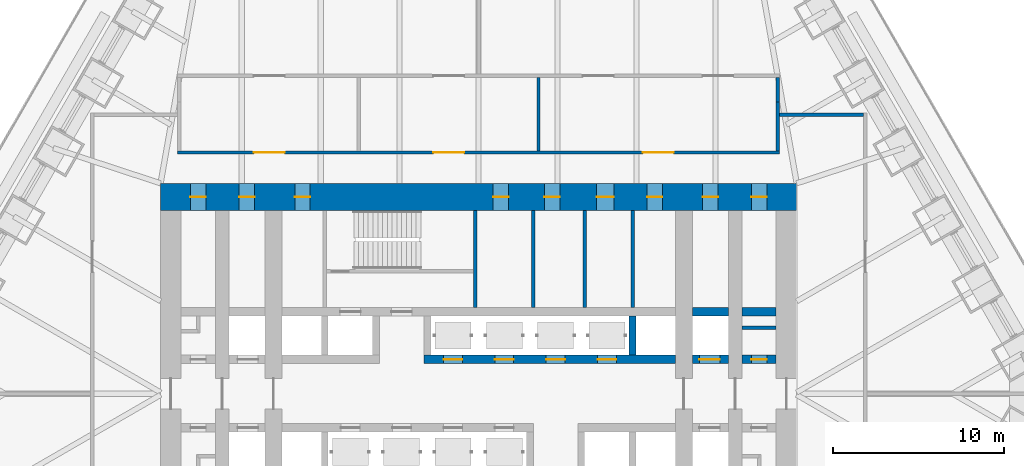
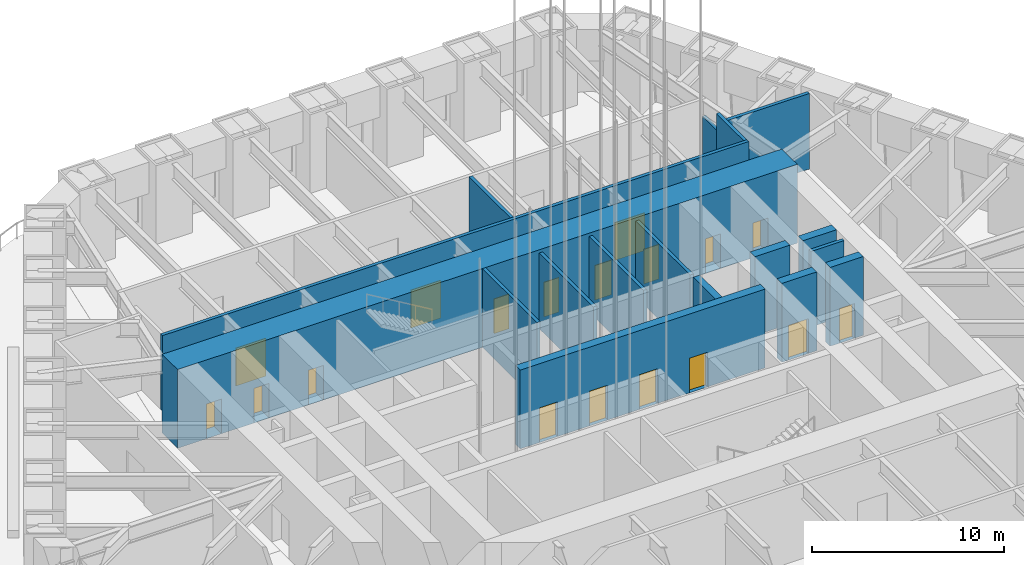
# One storey, part 10 of 15: 18 doors, 17 walls, 18 openings.
"""IFC4 building model written with IfcOpenShell, lengths in metres."""

import ifcopenshell
import ifcopenshell.guid

model = None  # the IFC model being written
_history = None  # IfcOwnerHistory: only IFC2X3 demands one
_inside = {}  # id of a spatial element -> (the spatial element, [elements in it])
_under = {}  # id of a project, library or spatial element -> (it, [spatial elements below it])
_declared = {}  # id of a project -> (the project, [libraries it declares])
_typed = {}  # id of a type object -> (the type object, [elements of that type])
_made_of = {}  # id of a material, layer set ... -> (it, [elements and type objects made of it])


def new_model(schema):
    """Start an empty IFC model of exactly this schema.

    Asked for "IFC4X3", IfcOpenShell would pick the latest addendum, in which some entities
    have other attributes; the version numbers below select the first issue.
    IFC2X3 requires an IfcOwnerHistory on every rooted entity: one is made here for all.
    """
    global model, _history
    if schema == "IFC4X3":
        model = ifcopenshell.file(schema_version=(4, 3, 0, 0))
    else:
        model = ifcopenshell.file(schema=schema)
    _inside.clear()
    _under.clear()
    _declared.clear()
    _typed.clear()
    _made_of.clear()
    _history = None
    if model.schema == "IFC2X3":
        org = make("IfcOrganization", Name="unknown")
        user = make(
            "IfcPersonAndOrganization",
            ThePerson=make("IfcPerson", FamilyName="unknown"),
            TheOrganization=org,
        )
        app = make(
            "IfcApplication",
            ApplicationDeveloper=org,
            Version="unknown",
            ApplicationFullName="unknown",
            ApplicationIdentifier="unknown",
        )
        _history = make(
            "IfcOwnerHistory",
            OwningUser=user,
            OwningApplication=app,
            ChangeAction="ADDED",
            CreationDate=0,
        )
    return model


def make(cls, **values):
    """One entity of the class cls with the attributes given. An attribute that is None is left unset."""
    return model.create_entity(
        cls, **{name: value for name, value in values.items() if value is not None}
    )


def rooted(cls, **values):
    """An entity with a GlobalId (a new one), such as an element, a storey or a relation."""
    return make(cls, GlobalId=ifcopenshell.guid.new(), OwnerHistory=_history, **values)


def si_unit(unit_type, name, prefix=None):
    """IfcSIUnit, for example si_unit("LENGTHUNIT", "METRE", prefix="MILLI")."""
    return make("IfcSIUnit", UnitType=unit_type, Prefix=prefix, Name=name)


def assignment(units):
    """IfcUnitAssignment: the units of a project."""
    return None if units is None else make("IfcUnitAssignment", Units=units)


def point(xyz):
    """IfcCartesianPoint."""
    return None if xyz is None else make("IfcCartesianPoint", Coordinates=xyz)


def direction(xyz):
    """IfcDirection."""
    return None if xyz is None else make("IfcDirection", DirectionRatios=xyz)


def frame(location, z_axis=None, x_axis=None):
    """IfcAxis2Placement3D, a coordinate frame: its origin and axes. An axis left out is left unset."""
    return make(
        "IfcAxis2Placement3D",
        Location=point(location),
        Axis=direction(z_axis),
        RefDirection=direction(x_axis),
    )


def frame_2d(location, x_axis=None):
    """IfcAxis2Placement2D, a coordinate frame in the plane: its origin and x axis."""
    return make(
        "IfcAxis2Placement2D", Location=point(location), RefDirection=direction(x_axis)
    )


def origin():
    """The frame at (0, 0, 0) with its axes left unset."""
    return frame((0.0, 0.0, 0.0))


def place(relative_to, where):
    """IfcLocalPlacement: puts the frame where relative to a parent placement (None: the world)."""
    return make(
        "IfcLocalPlacement", PlacementRelTo=relative_to, RelativePlacement=where
    )


def context(
    kind, dimensions, precision=None, world=None, true_north=None, identifier=None
):
    """IfcGeometricRepresentationContext, for example the 3D "Model" context."""
    return make(
        "IfcGeometricRepresentationContext",
        ContextIdentifier=identifier,
        ContextType=kind,
        CoordinateSpaceDimension=dimensions,
        Precision=precision,
        WorldCoordinateSystem=world,
        TrueNorth=true_north,
    )


def subcontext(parent, identifier, kind, view, scale=None):
    """IfcGeometricRepresentationSubContext, for example "Body" below "Model"."""
    return make(
        "IfcGeometricRepresentationSubContext",
        ContextIdentifier=identifier,
        ContextType=kind,
        ParentContext=parent,
        TargetScale=scale,
        TargetView=view,
    )


def project(units=None, contexts=None):
    """IfcProject with its units and contexts."""
    return rooted(
        "IfcProject",
        Name="project",
        RepresentationContexts=contexts,
        UnitsInContext=assignment(units),
    )


def spatial(cls, under=None, at=None, **own):
    """A site, building, storey or space (cls), placed at a placement, below another one or the project."""
    s = rooted(cls, ObjectPlacement=at, **own)
    if under is not None:
        _under.setdefault(under.id(), (under, []))[1].append(s)
    return s


def profile(cls, at=None, kind="AREA", **sizes):
    """A parametric profile (cls). Its sizes go by their IFC names, for example OverallWidth=200.0."""
    return make(cls, ProfileType=kind, Position=at, **sizes)


def rectangle(**sizes):
    """IfcRectangleProfileDef."""
    return profile("IfcRectangleProfileDef", **sizes)


def extrude(swept, where, along, depth):
    """IfcExtrudedAreaSolid: the profile swept, set in the frame where, extruded along a direction by depth."""
    return make(
        "IfcExtrudedAreaSolid",
        SweptArea=swept,
        Position=where,
        ExtrudedDirection=direction(along),
        Depth=depth,
    )


def shape(context_of_items, identifier, shape_type, items):
    """IfcShapeRepresentation: the items that make up one representation, for example the "Body"."""
    return make(
        "IfcShapeRepresentation",
        ContextOfItems=context_of_items,
        RepresentationIdentifier=identifier,
        RepresentationType=shape_type,
        Items=items,
    )


def material(Name=None, Category=None):
    """IfcMaterial."""
    return make("IfcMaterial", Name=Name, Category=Category)


def layer(
    of_material, thickness, ventilated=None, Name=None, Category=None, Priority=None
):
    """IfcMaterialLayer: one layer of a wall or slab, of a material (None: an air gap)."""
    return make(
        "IfcMaterialLayer",
        Material=of_material,
        LayerThickness=thickness,
        IsVentilated=ventilated,
        Name=Name,
        Category=Category,
        Priority=Priority,
    )


def layer_set(layers, Name=None):
    """IfcMaterialLayerSet."""
    return make("IfcMaterialLayerSet", MaterialLayers=layers, LayerSetName=Name)


def made_of(thing, what):
    """Note that an element or type object is made of a material, layer set ...; save() writes the relation."""
    if what is not None:
        _made_of.setdefault(what.id(), (what, []))[1].append(thing)
    return thing


def type_object(cls, material=None, **own):
    """A type object (cls), such as IfcWallType, which elements share."""
    return made_of(rooted(cls, **own), material)


def element(
    cls,
    number,
    at=None,
    inside=None,
    cuts=None,
    type_object=None,
    material=None,
    context=None,
    identifier="Body",
    shape_type=None,
    held_by="IfcProductDefinitionShape",
    body=None,
    shapes=None,
    **own,
):
    """One element of the class cls, such as IfcWall. Its Tag is "e" and its number.

    at: its placement. inside: the storey or other place that contains it. cuts: it is an
    opening in that element (IfcRelVoidsElement). A single representation is given by context,
    identifier, shape_type and body (its items); several are given by shapes. held_by: the class
    of the entity that holds the representations. save() writes the other relations.
    """
    e = rooted(cls, Tag="e%d" % number, ObjectPlacement=at, **own)
    if body is not None:
        shapes = [shape(context, identifier, shape_type, body)]
    if shapes is not None:
        e.Representation = make(held_by, Representations=shapes)
    if inside is not None:
        _inside.setdefault(inside.id(), (inside, []))[1].append(e)
    if cuts is not None:
        rooted(
            "IfcRelVoidsElement", RelatingBuildingElement=cuts, RelatedOpeningElement=e
        )
    if type_object is not None:
        _typed.setdefault(type_object.id(), (type_object, []))[1].append(e)
    return made_of(e, material)


def fill(opening, filler):
    """IfcRelFillsElement: the door or window that sits in an opening."""
    return rooted(
        "IfcRelFillsElement",
        RelatingOpeningElement=opening,
        RelatedBuildingElement=filler,
    )


def aggregate(whole, parts):
    """IfcRelAggregates: a whole, such as a stair, and the parts it consists of."""
    return rooted("IfcRelAggregates", RelatingObject=whole, RelatedObjects=parts)


def save(model, path):
    """Write the relations noted so far, then the file.

    IfcRelAggregates (storeys below a building ...), IfcRelContainedInSpatialStructure (elements
    in a storey), IfcRelDefinesByType, IfcRelAssociatesMaterial and IfcRelDeclares: one each for
    every whole, place, type object, material and project.
    """
    for whole, parts in _under.values():
        aggregate(whole, parts)
    for where, things in _inside.values():
        rooted(
            "IfcRelContainedInSpatialStructure",
            RelatedElements=things,
            RelatingStructure=where,
        )
    for kind, things in _typed.values():
        rooted("IfcRelDefinesByType", RelatedObjects=things, RelatingType=kind)
    for what, things in _made_of.values():
        rooted("IfcRelAssociatesMaterial", RelatedObjects=things, RelatingMaterial=what)
    for by, libraries in _declared.values():
        rooted("IfcRelDeclares", RelatingContext=by, RelatedDefinitions=libraries)
    model.write(path)


model = new_model("IFC4")

# Units and contexts
model_context = context("Model", 3, precision=1e-05, world=origin(), true_north=direction((0.0, 1.0)))
body_context = subcontext(model_context, "Body", "Model", "MODEL_VIEW")
ifc_project = project(units=[si_unit("LENGTHUNIT", "METRE"), si_unit("AREAUNIT", "SQUARE_METRE"), si_unit("VOLUMEUNIT", "CUBIC_METRE"), si_unit("PLANEANGLEUNIT", "RADIAN"), si_unit("MASSUNIT", "GRAM", prefix="KILO")], contexts=[model_context])

# Site, building, storey
site_placement = place(None, origin())
site = spatial("IfcSite", under=ifc_project, at=site_placement, CompositionType="ELEMENT")
building_placement = place(site_placement, origin())
building = spatial("IfcBuilding", under=site, at=building_placement, Name="Tarfa Lantern Tower", CompositionType="ELEMENT")
storey_placement = place(building_placement, frame((0.0, 0.0, 210.5)))
storey = spatial("IfcBuildingStorey", under=building, at=storey_placement, Name="L47", CompositionType="ELEMENT", Elevation=210.5)

# Walls
ifc_material_1 = material(Name="Concrete blockwork", Category="masonry")
ifc_layer_1 = layer(ifc_material_1, 0.199951171875)
ifc_layer_set_1 = layer_set([ifc_layer_1], Name="IW1 BLOCKWORK PARTITION 200 EI 120")
wall_type_1 = type_object("IfcWallType", Name="IW1 BLOCKWORK PARTITION 200 EI 120", PredefinedType="PARTITIONING", material=ifc_layer_set_1)
for number, where, z_axis, x_axis, name in (
    (1, (9.0, 5.050048828125, 0.0), (0.0, 0.0, 1.0), (0.0, 1.0, 0.0), "Core partition"),
    (2, (3.199951171875, 5.050048828125, 0.0), (0.0, 0.0, 1.0), (0.0, 1.0, 0.0), "Core partition"),
    (3, (6.199951171875, 5.050048828125, 0.0), (0.0, 0.0, 1.0), (0.0, 1.0, 0.0), "Core partition"),
):
    element("IfcWall", number, at=place(storey_placement, frame(where, z_axis=z_axis, x_axis=x_axis)), inside=storey, type_object=wall_type_1, Name=name, PredefinedType="PARTITIONING", context=body_context, shape_type="SweptSolid", body=[
        extrude(rectangle(XDim=5.64990234375, YDim=0.199951171875, at=frame_2d((2.824951171875, 0.0))), origin(), (0.0, 0.0, 1.0), 4.800048828125),
    ])
wall_1_placement = place(storey_placement, frame((15.39990234375, 3.85009765625, 0.0), z_axis=(0.0, 0.0, 1.0), x_axis=(1.0, 0.0, 0.0)))
element("IfcWall", 4, at=wall_1_placement, inside=storey, type_object=wall_type_1, Name="Core partition", PredefinedType="PARTITIONING", context=body_context, shape_type="SweptSolid", body=[
    extrude(rectangle(XDim=2.0, YDim=0.199951171875, at=frame_2d((1.0, 0.0))), origin(), (0.0, 0.0, 1.0), 4.800048828125),
])

# Wall, openings, doors
ifc_material_2 = material(Name="Gypsum board on steel studs", Category="steel")
ifc_layer_2 = layer(ifc_material_2, 0.2099609375)
ifc_layer_set_2 = layer_set([ifc_layer_2], Name="IW2 ACOUSTIC PARTITION 200")
wall_type_2 = type_object("IfcWallType", Name="IW2 ACOUSTIC PARTITION 200", PredefinedType="PARTITIONING", material=ifc_layer_set_2)
wall_2_placement = place(storey_placement, frame((-17.60009765625, 14.10009765625, 0.0), z_axis=(0.0, 0.0, 1.0), x_axis=(1.0, 0.0, 0.0)))
wall_2 = element("IfcWall", 5, at=wall_2_placement, inside=storey, type_object=wall_type_2, Name="Partition", PredefinedType="PARTITIONING", context=body_context, shape_type="SweptSolid", body=[
    extrude(rectangle(XDim=35.2001953125, YDim=0.199951171875, at=frame_2d((17.60009765625, 0.0))), origin(), (0.0, 0.0, 1.0), 4.800048828125),
])
opening_1_placement = place(wall_2_placement, frame((4.449951171875, 0.0, 0.0)))
opening_1 = element("IfcOpeningElement", 6, at=opening_1_placement, cuts=wall_2, Name="Opening D40", PredefinedType="OPENING", context=body_context, shape_type="SweptSolid", body=[
    extrude(rectangle(XDim=1.800048828125, YDim=2.39990234375, at=frame_2d((0.89990234375, 1.199951171875))), frame((0.0, 0.10986328125, 0.0), z_axis=(0.0, -1.0, 0.0), x_axis=(1.0, 0.0, 0.0)), (0.0, 0.0, 1.0), 0.219970703125),
])
opening_2_placement = place(wall_2_placement, frame((14.949951171875, 0.0, 0.0)))
opening_2 = element("IfcOpeningElement", 7, at=opening_2_placement, cuts=wall_2, Name="Opening D41", PredefinedType="OPENING", context=body_context, shape_type="SweptSolid", body=[
    extrude(rectangle(XDim=1.800048828125, YDim=2.39990234375, at=frame_2d((0.89990234375, 1.199951171875))), frame((0.0, 0.10986328125, 0.0), z_axis=(0.0, -1.0, 0.0), x_axis=(1.0, 0.0, 0.0)), (0.0, 0.0, 1.0), 0.219970703125),
])
opening_3_placement = place(wall_2_placement, frame((27.199951171875, 0.0, 0.0)))
opening_3 = element("IfcOpeningElement", 8, at=opening_3_placement, cuts=wall_2, Name="Opening D42", PredefinedType="OPENING", context=body_context, shape_type="SweptSolid", body=[
    extrude(rectangle(XDim=1.800048828125, YDim=2.39990234375, at=frame_2d((0.89990234375, 1.199951171875))), frame((0.0, 0.10986328125, 0.0), z_axis=(0.0, -1.0, 0.0), x_axis=(1.0, 0.0, 0.0)), (0.0, 0.0, 1.0), 0.219970703125),
])
ifc_material_3 = material(Name="Timber door", Category="wood")
door_type_1 = type_object("IfcDoorType", Name="DR2 ROOM DOOR 1800x2400", OperationType="DOUBLE_DOOR_SINGLE_SWING", PredefinedType="DOOR", material=ifc_material_3)
door_1_placement = place(opening_1_placement, origin())
door_1 = element("IfcDoor", 9, at=door_1_placement, inside=storey, type_object=door_type_1, Name="Client meeting room door", OperationType="DOUBLE_DOOR_SINGLE_SWING", OverallHeight=2.39990234375, OverallWidth=1.800048828125, PredefinedType="DOOR", context=body_context, shape_type="SweptSolid", body=[
    extrude(rectangle(XDim=1.800048828125, YDim=2.39990234375, at=frame_2d((0.89990234375, 1.199951171875))), frame((0.0, 0.02490234375, 0.0), z_axis=(0.0, -1.0, 0.0), x_axis=(1.0, 0.0, 0.0)), (0.0, 0.0, 1.0), 0.050048828125),
])
fill(opening_1, door_1)
door_2_placement = place(opening_2_placement, origin())
door_2 = element("IfcDoor", 10, at=door_2_placement, inside=storey, type_object=door_type_1, Name="Client meeting room door", OperationType="DOUBLE_DOOR_SINGLE_SWING", OverallHeight=2.39990234375, OverallWidth=1.800048828125, PredefinedType="DOOR", context=body_context, shape_type="SweptSolid", body=[
    extrude(rectangle(XDim=1.800048828125, YDim=2.39990234375, at=frame_2d((0.89990234375, 1.199951171875))), frame((0.0, 0.02490234375, 0.0), z_axis=(0.0, -1.0, 0.0), x_axis=(1.0, 0.0, 0.0)), (0.0, 0.0, 1.0), 0.050048828125),
])
fill(opening_2, door_2)
door_3_placement = place(opening_3_placement, origin())
door_3 = element("IfcDoor", 11, at=door_3_placement, inside=storey, type_object=door_type_1, Name="Client meeting room door", OperationType="DOUBLE_DOOR_SINGLE_SWING", OverallHeight=2.39990234375, OverallWidth=1.800048828125, PredefinedType="DOOR", context=body_context, shape_type="SweptSolid", body=[
    extrude(rectangle(XDim=1.800048828125, YDim=2.39990234375, at=frame_2d((0.89990234375, 1.199951171875))), frame((0.0, 0.02490234375, 0.0), z_axis=(0.0, -1.0, 0.0), x_axis=(1.0, 0.0, 0.0)), (0.0, 0.0, 1.0), 0.050048828125),
])
fill(opening_3, door_3)

# Walls
wall_3_placement = place(storey_placement, frame((3.5, 14.199951171875, 0.0), z_axis=(0.0, 0.0, 1.0), x_axis=(0.0, 1.0, 0.0)))
element("IfcWall", 12, at=wall_3_placement, inside=storey, type_object=wall_type_2, Name="Partition", PredefinedType="PARTITIONING", context=body_context, shape_type="SweptSolid", body=[
    extrude(rectangle(XDim=4.300048828125, YDim=0.199951171875, at=frame_2d((2.14990234375, 0.0))), origin(), (0.0, 0.0, 1.0), 4.800048828125),
])
wall_4_placement = place(storey_placement, frame((17.5, 14.199951171875, 0.0), z_axis=(0.0, 0.0, 1.0), x_axis=(0.0, 1.0, 0.0)))
element("IfcWall", 13, at=wall_4_placement, inside=storey, type_object=wall_type_2, Name="Partition", PredefinedType="PARTITIONING", context=body_context, shape_type="SweptSolid", body=[
    extrude(rectangle(XDim=2.84423828125, YDim=0.199951171875, at=frame_2d((1.422119140625, 0.0))), origin(), (0.0, 0.0, 1.0), 4.800048828125),
])
wall_5_placement = place(storey_placement, frame((17.5, 17.044189453125, 0.0), z_axis=(0.0, 0.0, 1.0), x_axis=(0.0, 1.0, 0.0)))
element("IfcWall", 14, at=wall_5_placement, inside=storey, type_object=wall_type_2, Name="Partition", PredefinedType="PARTITIONING", context=body_context, shape_type="SweptSolid", body=[
    extrude(rectangle(XDim=1.455810546875, YDim=0.199951171875, at=frame_2d((0.72802734375, 0.0))), origin(), (0.0, 0.0, 1.0), 3.743896484375),
])
wall_6_placement = place(storey_placement, frame((17.60009765625, 16.300048828125, 0.0), z_axis=(0.0, 0.0, 1.0), x_axis=(1.0, 0.0, 0.0)))
element("IfcWall", 15, at=wall_6_placement, inside=storey, type_object=wall_type_2, Name="Partition", PredefinedType="PARTITIONING", context=body_context, shape_type="SweptSolid", body=[
    extrude(rectangle(XDim=4.89990234375, YDim=0.199951171875, at=frame_2d((2.449951171875, 0.0))), origin(), (0.0, 0.0, 1.0), 4.800048828125),
])
ifc_material_4 = material(Name="Concrete C80/95", Category="concrete")
ifc_layer_3 = layer(ifc_material_4, 0.199951171875)
ifc_layer_set_3 = layer_set([ifc_layer_3], Name="SW12 CORE WALL 200")
wall_type_3 = type_object("IfcWallType", Name="SW12 CORE WALL 200", PredefinedType="SHEAR", material=ifc_layer_set_3)
wall_7_placement = place(storey_placement, frame((-0.199951171875, 5.050048828125, 0.0), z_axis=(0.0, 0.0, 1.0), x_axis=(0.0, 1.0, 0.0)))
element("IfcWall", 16, at=wall_7_placement, inside=storey, type_object=wall_type_3, Name="Core wall stair shaft N", PredefinedType="SHEAR", context=body_context, shape_type="SweptSolid", body=[
    extrude(rectangle(XDim=5.64990234375, YDim=0.199951171875, at=frame_2d((2.824951171875, 0.0))), origin(), (0.0, 0.0, 1.0), 5.0),
])

# Wall, openings, doors
ifc_layer_4 = layer(ifc_material_4, 0.5)
ifc_layer_set_4 = layer_set([ifc_layer_4], Name="SW5 CORE WALL 500")
wall_type_4 = type_object("IfcWallType", Name="SW5 CORE WALL 500", PredefinedType="SHEAR", material=ifc_layer_set_4)
wall_8_placement = place(storey_placement, frame((-3.199951171875, 2.0, 0.0), z_axis=(0.0, 0.0, 1.0), x_axis=(1.0, 0.0, 0.0)))
wall_8 = element("IfcWall", 17, at=wall_8_placement, inside=storey, type_object=wall_type_4, Name="Core wall lobby east N", PredefinedType="SHEAR", context=body_context, shape_type="SweptSolid", body=[
    extrude(rectangle(XDim=14.699951171875, YDim=0.5, at=frame_2d((7.35009765625, 0.0))), origin(), (0.0, 0.0, 1.0), 5.0),
])
opening_4_placement = place(wall_8_placement, frame((1.14990234375, 0.0, 0.0)))
opening_4 = element("IfcOpeningElement", 18, at=opening_4_placement, cuts=wall_8, Name="Opening LD03", PredefinedType="OPENING", context=body_context, shape_type="SweptSolid", body=[
    extrude(rectangle(XDim=1.10009765625, YDim=2.199951171875, at=frame_2d((0.550048828125, 1.10009765625))), frame((0.0, 0.260009765625, 0.0), z_axis=(0.0, -1.0, 0.0), x_axis=(1.0, 0.0, 0.0)), (0.0, 0.0, 1.0), 0.52001953125),
])
opening_5_placement = place(wall_8_placement, frame((4.14990234375, 0.0, 0.0)))
opening_5 = element("IfcOpeningElement", 19, at=opening_5_placement, cuts=wall_8, Name="Opening LD04", PredefinedType="OPENING", context=body_context, shape_type="SweptSolid", body=[
    extrude(rectangle(XDim=1.10009765625, YDim=2.199951171875, at=frame_2d((0.550048828125, 1.10009765625))), frame((0.0, 0.260009765625, 0.0), z_axis=(0.0, -1.0, 0.0), x_axis=(1.0, 0.0, 0.0)), (0.0, 0.0, 1.0), 0.52001953125),
])
opening_6_placement = place(wall_8_placement, frame((7.14990234375, 0.0, 0.0)))
opening_6 = element("IfcOpeningElement", 20, at=opening_6_placement, cuts=wall_8, Name="Opening LD05", PredefinedType="OPENING", context=body_context, shape_type="SweptSolid", body=[
    extrude(rectangle(XDim=1.10009765625, YDim=2.199951171875, at=frame_2d((0.550048828125, 1.10009765625))), frame((0.0, 0.260009765625, 0.0), z_axis=(0.0, -1.0, 0.0), x_axis=(1.0, 0.0, 0.0)), (0.0, 0.0, 1.0), 0.52001953125),
])
opening_7_placement = place(wall_8_placement, frame((10.14990234375, 0.0, 0.0)))
opening_7 = element("IfcOpeningElement", 21, at=opening_7_placement, cuts=wall_8, Name="Opening LD06", PredefinedType="OPENING", context=body_context, shape_type="SweptSolid", body=[
    extrude(rectangle(XDim=1.10009765625, YDim=2.199951171875, at=frame_2d((0.550048828125, 1.10009765625))), frame((0.0, 0.260009765625, 0.0), z_axis=(0.0, -1.0, 0.0), x_axis=(1.0, 0.0, 0.0)), (0.0, 0.0, 1.0), 0.52001953125),
])
ifc_material_5 = material(Name="Stainless steel lift door", Category="steel")
door_type_2 = type_object("IfcDoorType", Name="LD2 LIFT LANDING DOOR 1100x2200", OperationType="SLIDING_TO_LEFT", PredefinedType="DOOR", material=ifc_material_5)
door_4_placement = place(opening_4_placement, frame((1.10009765625, 0.0, 0.0), z_axis=(0.0, 0.0, 1.0), x_axis=(-1.0, 0.0, 0.0)))
door_4 = element("IfcDoor", 22, at=door_4_placement, inside=storey, type_object=door_type_2, Name="Landing door PC1", OperationType="SLIDING_TO_LEFT", OverallHeight=2.199951171875, OverallWidth=1.10009765625, PredefinedType="DOOR", context=body_context, shape_type="SweptSolid", body=[
    extrude(rectangle(XDim=1.10009765625, YDim=2.199951171875, at=frame_2d((0.550048828125, 1.10009765625))), frame((0.0, 0.02490234375, 0.0), z_axis=(0.0, -1.0, 0.0), x_axis=(1.0, 0.0, 0.0)), (0.0, 0.0, 1.0), 0.050048828125),
])
fill(opening_4, door_4)
door_5_placement = place(opening_5_placement, frame((1.10009765625, 0.0, 0.0), z_axis=(0.0, 0.0, 1.0), x_axis=(-1.0, 0.0, 0.0)))
door_5 = element("IfcDoor", 23, at=door_5_placement, inside=storey, type_object=door_type_2, Name="Landing door PC2", OperationType="SLIDING_TO_LEFT", OverallHeight=2.199951171875, OverallWidth=1.10009765625, PredefinedType="DOOR", context=body_context, shape_type="SweptSolid", body=[
    extrude(rectangle(XDim=1.10009765625, YDim=2.199951171875, at=frame_2d((0.550048828125, 1.10009765625))), frame((0.0, 0.02490234375, 0.0), z_axis=(0.0, -1.0, 0.0), x_axis=(1.0, 0.0, 0.0)), (0.0, 0.0, 1.0), 0.050048828125),
])
fill(opening_5, door_5)
door_6_placement = place(opening_6_placement, frame((1.10009765625, 0.0, 0.0), z_axis=(0.0, 0.0, 1.0), x_axis=(-1.0, 0.0, 0.0)))
door_6 = element("IfcDoor", 24, at=door_6_placement, inside=storey, type_object=door_type_2, Name="Landing door PC3", OperationType="SLIDING_TO_LEFT", OverallHeight=2.199951171875, OverallWidth=1.10009765625, PredefinedType="DOOR", context=body_context, shape_type="SweptSolid", body=[
    extrude(rectangle(XDim=1.10009765625, YDim=2.199951171875, at=frame_2d((0.550048828125, 1.10009765625))), frame((0.0, 0.02490234375, 0.0), z_axis=(0.0, -1.0, 0.0), x_axis=(1.0, 0.0, 0.0)), (0.0, 0.0, 1.0), 0.050048828125),
])
fill(opening_6, door_6)
door_7_placement = place(opening_7_placement, frame((1.10009765625, 0.0, 0.0), z_axis=(0.0, 0.0, 1.0), x_axis=(-1.0, 0.0, 0.0)))
door_7 = element("IfcDoor", 25, at=door_7_placement, inside=storey, type_object=door_type_2, Name="Landing door PC4", OperationType="SLIDING_TO_LEFT", OverallHeight=2.199951171875, OverallWidth=1.10009765625, PredefinedType="DOOR", context=body_context, shape_type="SweptSolid", body=[
    extrude(rectangle(XDim=1.10009765625, YDim=2.199951171875, at=frame_2d((0.550048828125, 1.10009765625))), frame((0.0, 0.02490234375, 0.0), z_axis=(0.0, -1.0, 0.0), x_axis=(1.0, 0.0, 0.0)), (0.0, 0.0, 1.0), 0.050048828125),
])
fill(opening_7, door_7)

# Wall, opening, door
wall_9_placement = place(storey_placement, frame((12.5, 2.0, 0.0), z_axis=(0.0, 0.0, 1.0), x_axis=(1.0, 0.0, 0.0)))
wall_9 = element("IfcWall", 26, at=wall_9_placement, inside=storey, type_object=wall_type_4, Name="Core wall lobby east N", PredefinedType="SHEAR", context=body_context, shape_type="SweptSolid", body=[
    extrude(rectangle(XDim=2.10009765625, YDim=0.5, at=frame_2d((1.050048828125, 0.0))), origin(), (0.0, 0.0, 1.0), 5.0),
])
opening_8_placement = place(wall_9_placement, frame((0.39990234375, 0.0, 0.0)))
opening_8 = element("IfcOpeningElement", 27, at=opening_8_placement, cuts=wall_9, Name="Opening LD12", PredefinedType="OPENING", context=body_context, shape_type="SweptSolid", body=[
    extrude(rectangle(XDim=1.199951171875, YDim=2.199951171875, at=frame_2d((0.60009765625, 1.10009765625))), frame((0.0, 0.260009765625, 0.0), z_axis=(0.0, -1.0, 0.0), x_axis=(1.0, 0.0, 0.0)), (0.0, 0.0, 1.0), 0.52001953125),
])
door_type_3 = type_object("IfcDoorType", Name="LD1 LIFT LANDING DOOR 1200x2200", OperationType="SLIDING_TO_LEFT", PredefinedType="DOOR", material=ifc_material_5)
door_8_placement = place(opening_8_placement, frame((1.199951171875, 0.0, 0.0), z_axis=(0.0, 0.0, 1.0), x_axis=(-1.0, 0.0, 0.0)))
door_8 = element("IfcDoor", 28, at=door_8_placement, inside=storey, type_object=door_type_3, Name="Landing door S6", OperationType="SLIDING_TO_LEFT", OverallHeight=2.199951171875, OverallWidth=1.199951171875, PredefinedType="DOOR", context=body_context, shape_type="SweptSolid", body=[
    extrude(rectangle(XDim=1.199951171875, YDim=2.199951171875, at=frame_2d((0.60009765625, 1.10009765625))), frame((0.0, 0.02490234375, 0.0), z_axis=(0.0, -1.0, 0.0), x_axis=(1.0, 0.0, 0.0)), (0.0, 0.0, 1.0), 0.050048828125),
])
fill(opening_8, door_8)

wall_10_placement = place(storey_placement, frame((15.39990234375, 2.0, 0.0), z_axis=(0.0, 0.0, 1.0), x_axis=(1.0, 0.0, 0.0)))
wall_10 = element("IfcWall", 29, at=wall_10_placement, inside=storey, type_object=wall_type_4, Name="Core wall lobby east N", PredefinedType="SHEAR", context=body_context, shape_type="SweptSolid", body=[
    extrude(rectangle(XDim=2.0, YDim=0.5, at=frame_2d((1.0, 0.0))), origin(), (0.0, 0.0, 1.0), 5.0),
])
opening_9_placement = place(wall_10_placement, frame((0.550048828125, 0.0, 0.0)))
opening_9 = element("IfcOpeningElement", 30, at=opening_9_placement, cuts=wall_10, Name="Opening D17", PredefinedType="OPENING", context=body_context, shape_type="SweptSolid", body=[
    extrude(rectangle(XDim=0.89990234375, YDim=2.199951171875, at=frame_2d((0.449951171875, 1.10009765625))), frame((0.0, 0.260009765625, 0.0), z_axis=(0.0, -1.0, 0.0), x_axis=(1.0, 0.0, 0.0)), (0.0, 0.0, 1.0), 0.52001953125),
])
ifc_material_6 = material(Name="Steel fire door", Category="steel")
door_type_4 = type_object("IfcDoorType", Name="DF6 SERVICE ROOM DOOR 900x2200", OperationType="SINGLE_SWING_LEFT", PredefinedType="DOOR", material=ifc_material_6)
door_9_placement = place(opening_9_placement, origin())
door_9 = element("IfcDoor", 31, at=door_9_placement, inside=storey, type_object=door_type_4, Name="Service room door", OperationType="SINGLE_SWING_LEFT", OverallHeight=2.199951171875, OverallWidth=0.89990234375, PredefinedType="DOOR", context=body_context, shape_type="SweptSolid", body=[
    extrude(rectangle(XDim=0.89990234375, YDim=2.199951171875, at=frame_2d((0.449951171875, 1.10009765625))), frame((0.0, 0.02490234375, 0.0), z_axis=(0.0, -1.0, 0.0), x_axis=(1.0, 0.0, 0.0)), (0.0, 0.0, 1.0), 0.050048828125),
])
fill(opening_9, door_9)

# Walls
wall_11_placement = place(storey_placement, frame((12.5, 4.800048828125, 0.0), z_axis=(0.0, 0.0, 1.0), x_axis=(1.0, 0.0, 0.0)))
element("IfcWall", 32, at=wall_11_placement, inside=storey, type_object=wall_type_4, Name="Core wall rear N", PredefinedType="SHEAR", context=body_context, shape_type="SweptSolid", body=[
    extrude(rectangle(XDim=2.10009765625, YDim=0.5, at=frame_2d((1.050048828125, 0.0))), origin(), (0.0, 0.0, 1.0), 5.0),
])
wall_12_placement = place(storey_placement, frame((15.39990234375, 4.800048828125, 0.0), z_axis=(0.0, 0.0, 1.0), x_axis=(1.0, 0.0, 0.0)))
element("IfcWall", 33, at=wall_12_placement, inside=storey, type_object=wall_type_4, Name="Core wall rear N", PredefinedType="SHEAR", context=body_context, shape_type="SweptSolid", body=[
    extrude(rectangle(XDim=2.0, YDim=0.5, at=frame_2d((1.0, 0.0))), origin(), (0.0, 0.0, 1.0), 5.0),
])
ifc_layer_5 = layer(ifc_material_4, 0.39990234375)
ifc_layer_set_5 = layer_set([ifc_layer_5], Name="SW6 CORE WALL 400")
wall_type_5 = type_object("IfcWallType", Name="SW6 CORE WALL 400", PredefinedType="SHEAR", material=ifc_layer_set_5)
wall_13_placement = place(storey_placement, frame((9.0, 2.25, 0.0), z_axis=(0.0, 0.0, 1.0), x_axis=(0.0, 1.0, 0.0)))
element("IfcWall", 34, at=wall_13_placement, inside=storey, type_object=wall_type_5, Name="Core wall divider N", PredefinedType="SHEAR", context=body_context, shape_type="SweptSolid", body=[
    extrude(rectangle(XDim=2.300048828125, YDim=0.39990234375, at=frame_2d((1.14990234375, 0.0))), origin(), (0.0, 0.0, 1.0), 5.0),
])

# Wall, openings, doors
ifc_layer_6 = layer(ifc_material_4, 1.60009765625)
ifc_layer_set_6 = layer_set([ifc_layer_6], Name="SW7 CORE WALL 1600")
wall_type_6 = type_object("IfcWallType", Name="SW7 CORE WALL 1600", PredefinedType="SHEAR", material=ifc_layer_set_6)
wall_14_placement = place(storey_placement, frame((-18.60009765625, 11.5, 0.0), z_axis=(0.0, 0.0, 1.0), x_axis=(1.0, 0.0, 0.0)))
wall_14 = element("IfcWall", 35, at=wall_14_placement, inside=storey, type_object=wall_type_6, Name="Core wall N", PredefinedType="SHEAR", context=body_context, shape_type="SweptSolid", body=[
    extrude(rectangle(XDim=37.2001953125, YDim=1.60009765625, at=frame_2d((18.60009765625, 0.0))), origin(), (0.0, 0.0, 1.0), 5.0),
])
opening_10_placement = place(wall_14_placement, frame((19.449951171875, 0.0, 0.0)))
opening_10 = element("IfcOpeningElement", 36, at=opening_10_placement, cuts=wall_14, Name="Opening D21", PredefinedType="OPENING", context=body_context, shape_type="SweptSolid", body=[
    extrude(rectangle(XDim=0.89990234375, YDim=2.199951171875, at=frame_2d((0.449951171875, 1.10009765625))), frame((0.0, 0.81005859375, 0.0), z_axis=(0.0, -1.0, 0.0), x_axis=(1.0, 0.0, 0.0)), (0.0, 0.0, 1.0), 1.6201171875),
])
opening_11_placement = place(wall_14_placement, frame((22.449951171875, 0.0, 0.0)))
opening_11 = element("IfcOpeningElement", 37, at=opening_11_placement, cuts=wall_14, Name="Opening D23", PredefinedType="OPENING", context=body_context, shape_type="SweptSolid", body=[
    extrude(rectangle(XDim=0.89990234375, YDim=2.199951171875, at=frame_2d((0.449951171875, 1.10009765625))), frame((0.0, 0.81005859375, 0.0), z_axis=(0.0, -1.0, 0.0), x_axis=(1.0, 0.0, 0.0)), (0.0, 0.0, 1.0), 1.6201171875),
])
opening_12_placement = place(wall_14_placement, frame((25.5, 0.0, 0.0)))
opening_12 = element("IfcOpeningElement", 38, at=opening_12_placement, cuts=wall_14, Name="Opening D25", PredefinedType="OPENING", context=body_context, shape_type="SweptSolid", body=[
    extrude(rectangle(XDim=1.0, YDim=2.199951171875, at=frame_2d((0.5, 1.10009765625))), frame((0.0, 0.81005859375, 0.0), z_axis=(0.0, -1.0, 0.0), x_axis=(1.0, 0.0, 0.0)), (0.0, 0.0, 1.0), 1.6201171875),
])
opening_13_placement = place(wall_14_placement, frame((1.75, 0.0, 0.0)))
opening_13 = element("IfcOpeningElement", 39, at=opening_13_placement, cuts=wall_14, Name="Opening D11", PredefinedType="OPENING", context=body_context, shape_type="SweptSolid", body=[
    extrude(rectangle(XDim=0.89990234375, YDim=2.199951171875, at=frame_2d((0.449951171875, 1.10009765625))), frame((0.0, 0.81005859375, 0.0), z_axis=(0.0, -1.0, 0.0), x_axis=(1.0, 0.0, 0.0)), (0.0, 0.0, 1.0), 1.6201171875),
])
opening_14_placement = place(wall_14_placement, frame((4.60009765625, 0.0, 0.0)))
opening_14 = element("IfcOpeningElement", 40, at=opening_14_placement, cuts=wall_14, Name="Opening D07", PredefinedType="OPENING", context=body_context, shape_type="SweptSolid", body=[
    extrude(rectangle(XDim=0.89990234375, YDim=2.199951171875, at=frame_2d((0.449951171875, 1.10009765625))), frame((0.0, 0.81005859375, 0.0), z_axis=(0.0, -1.0, 0.0), x_axis=(1.0, 0.0, 0.0)), (0.0, 0.0, 1.0), 1.6201171875),
])
opening_15_placement = place(wall_14_placement, frame((7.85009765625, 0.0, 0.0)))
opening_15 = element("IfcOpeningElement", 41, at=opening_15_placement, cuts=wall_14, Name="Opening D09", PredefinedType="OPENING", context=body_context, shape_type="SweptSolid", body=[
    extrude(rectangle(XDim=0.89990234375, YDim=2.199951171875, at=frame_2d((0.449951171875, 1.10009765625))), frame((0.0, 0.81005859375, 0.0), z_axis=(0.0, -1.0, 0.0), x_axis=(1.0, 0.0, 0.0)), (0.0, 0.0, 1.0), 1.6201171875),
])
opening_16_placement = place(wall_14_placement, frame((28.449951171875, 0.0, 0.0)))
opening_16 = element("IfcOpeningElement", 42, at=opening_16_placement, cuts=wall_14, Name="Opening D05", PredefinedType="OPENING", context=body_context, shape_type="SweptSolid", body=[
    extrude(rectangle(XDim=0.89990234375, YDim=2.199951171875, at=frame_2d((0.449951171875, 1.10009765625))), frame((0.0, 0.81005859375, 0.0), z_axis=(0.0, -1.0, 0.0), x_axis=(1.0, 0.0, 0.0)), (0.0, 0.0, 1.0), 1.6201171875),
])
opening_17_placement = place(wall_14_placement, frame((31.699951171875, 0.0, 0.0)))
opening_17 = element("IfcOpeningElement", 43, at=opening_17_placement, cuts=wall_14, Name="Opening D01", PredefinedType="OPENING", context=body_context, shape_type="SweptSolid", body=[
    extrude(rectangle(XDim=0.89990234375, YDim=2.199951171875, at=frame_2d((0.449951171875, 1.10009765625))), frame((0.0, 0.81005859375, 0.0), z_axis=(0.0, -1.0, 0.0), x_axis=(1.0, 0.0, 0.0)), (0.0, 0.0, 1.0), 1.6201171875),
])
opening_18_placement = place(wall_14_placement, frame((34.550048828125, 0.0, 0.0)))
opening_18 = element("IfcOpeningElement", 44, at=opening_18_placement, cuts=wall_14, Name="Opening D03", PredefinedType="OPENING", context=body_context, shape_type="SweptSolid", body=[
    extrude(rectangle(XDim=0.89990234375, YDim=2.199951171875, at=frame_2d((0.449951171875, 1.10009765625))), frame((0.0, 0.81005859375, 0.0), z_axis=(0.0, -1.0, 0.0), x_axis=(1.0, 0.0, 0.0)), (0.0, 0.0, 1.0), 1.6201171875),
])
door_type_5 = type_object("IfcDoorType", Name="DF3 CORE ROOM DOOR 900x2200", OperationType="SINGLE_SWING_LEFT", PredefinedType="DOOR", material=ifc_material_6)
door_10_placement = place(opening_10_placement, frame((0.89990234375, 0.0, 0.0), z_axis=(0.0, 0.0, 1.0), x_axis=(-1.0, 0.0, 0.0)))
door_10 = element("IfcDoor", 45, at=door_10_placement, inside=storey, type_object=door_type_5, Name="Core door", OperationType="SINGLE_SWING_LEFT", OverallHeight=2.199951171875, OverallWidth=0.89990234375, PredefinedType="DOOR", context=body_context, shape_type="SweptSolid", body=[
    extrude(rectangle(XDim=0.89990234375, YDim=2.199951171875, at=frame_2d((0.449951171875, 1.10009765625))), frame((0.0, 0.02490234375, 0.0), z_axis=(0.0, -1.0, 0.0), x_axis=(1.0, 0.0, 0.0)), (0.0, 0.0, 1.0), 0.050048828125),
])
fill(opening_10, door_10)
door_11_placement = place(opening_11_placement, frame((0.89990234375, 0.0, 0.0), z_axis=(0.0, 0.0, 1.0), x_axis=(-1.0, 0.0, 0.0)))
door_11 = element("IfcDoor", 46, at=door_11_placement, inside=storey, type_object=door_type_5, Name="Core door", OperationType="SINGLE_SWING_LEFT", OverallHeight=2.199951171875, OverallWidth=0.89990234375, PredefinedType="DOOR", context=body_context, shape_type="SweptSolid", body=[
    extrude(rectangle(XDim=0.89990234375, YDim=2.199951171875, at=frame_2d((0.449951171875, 1.10009765625))), frame((0.0, 0.02490234375, 0.0), z_axis=(0.0, -1.0, 0.0), x_axis=(1.0, 0.0, 0.0)), (0.0, 0.0, 1.0), 0.050048828125),
])
fill(opening_11, door_11)
door_type_6 = type_object("IfcDoorType", Name="DF4 CORE ROOM DOOR 1000x2200", OperationType="SINGLE_SWING_LEFT", PredefinedType="DOOR", material=ifc_material_6)
door_12_placement = place(opening_12_placement, frame((1.0, 0.0, 0.0), z_axis=(0.0, 0.0, 1.0), x_axis=(-1.0, 0.0, 0.0)))
door_12 = element("IfcDoor", 47, at=door_12_placement, inside=storey, type_object=door_type_6, Name="Core door", OperationType="SINGLE_SWING_LEFT", OverallHeight=2.199951171875, OverallWidth=1.0, PredefinedType="DOOR", context=body_context, shape_type="SweptSolid", body=[
    extrude(rectangle(XDim=1.0, YDim=2.199951171875, at=frame_2d((0.5, 1.10009765625))), frame((0.0, 0.02490234375, 0.0), z_axis=(0.0, -1.0, 0.0), x_axis=(1.0, 0.0, 0.0)), (0.0, 0.0, 1.0), 0.050048828125),
])
fill(opening_12, door_12)
door_type_7 = type_object("IfcDoorType", Name="DF5 RISER DOOR 900x2200", OperationType="SINGLE_SWING_LEFT", PredefinedType="DOOR", material=ifc_material_6)
door_13_placement = place(opening_13_placement, frame((0.89990234375, 0.0, 0.0), z_axis=(0.0, 0.0, 1.0), x_axis=(-1.0, 0.0, 0.0)))
door_13 = element("IfcDoor", 48, at=door_13_placement, inside=storey, type_object=door_type_7, Name="Riser door", OperationType="SINGLE_SWING_LEFT", OverallHeight=2.199951171875, OverallWidth=0.89990234375, PredefinedType="DOOR", context=body_context, shape_type="SweptSolid", body=[
    extrude(rectangle(XDim=0.89990234375, YDim=2.199951171875, at=frame_2d((0.449951171875, 1.10009765625))), frame((0.0, 0.02490234375, 0.0), z_axis=(0.0, -1.0, 0.0), x_axis=(1.0, 0.0, 0.0)), (0.0, 0.0, 1.0), 0.050048828125),
])
fill(opening_13, door_13)
door_14_placement = place(opening_14_placement, frame((0.89990234375, 0.0, 0.0), z_axis=(0.0, 0.0, 1.0), x_axis=(-1.0, 0.0, 0.0)))
door_14 = element("IfcDoor", 49, at=door_14_placement, inside=storey, type_object=door_type_7, Name="Riser door", OperationType="SINGLE_SWING_LEFT", OverallHeight=2.199951171875, OverallWidth=0.89990234375, PredefinedType="DOOR", context=body_context, shape_type="SweptSolid", body=[
    extrude(rectangle(XDim=0.89990234375, YDim=2.199951171875, at=frame_2d((0.449951171875, 1.10009765625))), frame((0.0, 0.02490234375, 0.0), z_axis=(0.0, -1.0, 0.0), x_axis=(1.0, 0.0, 0.0)), (0.0, 0.0, 1.0), 0.050048828125),
])
fill(opening_14, door_14)
door_15_placement = place(opening_15_placement, frame((0.89990234375, 0.0, 0.0), z_axis=(0.0, 0.0, 1.0), x_axis=(-1.0, 0.0, 0.0)))
door_15 = element("IfcDoor", 50, at=door_15_placement, inside=storey, type_object=door_type_7, Name="Riser door", OperationType="SINGLE_SWING_LEFT", OverallHeight=2.199951171875, OverallWidth=0.89990234375, PredefinedType="DOOR", context=body_context, shape_type="SweptSolid", body=[
    extrude(rectangle(XDim=0.89990234375, YDim=2.199951171875, at=frame_2d((0.449951171875, 1.10009765625))), frame((0.0, 0.02490234375, 0.0), z_axis=(0.0, -1.0, 0.0), x_axis=(1.0, 0.0, 0.0)), (0.0, 0.0, 1.0), 0.050048828125),
])
fill(opening_15, door_15)
door_16_placement = place(opening_16_placement, frame((0.89990234375, 0.0, 0.0), z_axis=(0.0, 0.0, 1.0), x_axis=(-1.0, 0.0, 0.0)))
door_16 = element("IfcDoor", 51, at=door_16_placement, inside=storey, type_object=door_type_7, Name="Riser door", OperationType="SINGLE_SWING_RIGHT", OverallHeight=2.199951171875, OverallWidth=0.89990234375, PredefinedType="DOOR", context=body_context, shape_type="SweptSolid", body=[
    extrude(rectangle(XDim=0.89990234375, YDim=2.199951171875, at=frame_2d((0.449951171875, 1.10009765625))), frame((0.0, 0.02490234375, 0.0), z_axis=(0.0, -1.0, 0.0), x_axis=(1.0, 0.0, 0.0)), (0.0, 0.0, 1.0), 0.050048828125),
])
fill(opening_16, door_16)
door_17_placement = place(opening_17_placement, frame((0.89990234375, 0.0, 0.0), z_axis=(0.0, 0.0, 1.0), x_axis=(-1.0, 0.0, 0.0)))
door_17 = element("IfcDoor", 52, at=door_17_placement, inside=storey, type_object=door_type_7, Name="Riser door", OperationType="SINGLE_SWING_RIGHT", OverallHeight=2.199951171875, OverallWidth=0.89990234375, PredefinedType="DOOR", context=body_context, shape_type="SweptSolid", body=[
    extrude(rectangle(XDim=0.89990234375, YDim=2.199951171875, at=frame_2d((0.449951171875, 1.10009765625))), frame((0.0, 0.02490234375, 0.0), z_axis=(0.0, -1.0, 0.0), x_axis=(1.0, 0.0, 0.0)), (0.0, 0.0, 1.0), 0.050048828125),
])
fill(opening_17, door_17)
door_18_placement = place(opening_18_placement, frame((0.89990234375, 0.0, 0.0), z_axis=(0.0, 0.0, 1.0), x_axis=(-1.0, 0.0, 0.0)))
door_18 = element("IfcDoor", 53, at=door_18_placement, inside=storey, type_object=door_type_7, Name="Riser door", OperationType="SINGLE_SWING_RIGHT", OverallHeight=2.199951171875, OverallWidth=0.89990234375, PredefinedType="DOOR", context=body_context, shape_type="SweptSolid", body=[
    extrude(rectangle(XDim=0.89990234375, YDim=2.199951171875, at=frame_2d((0.449951171875, 1.10009765625))), frame((0.0, 0.02490234375, 0.0), z_axis=(0.0, -1.0, 0.0), x_axis=(1.0, 0.0, 0.0)), (0.0, 0.0, 1.0), 0.050048828125),
])
fill(opening_18, door_18)

save(model, "model.ifc")
